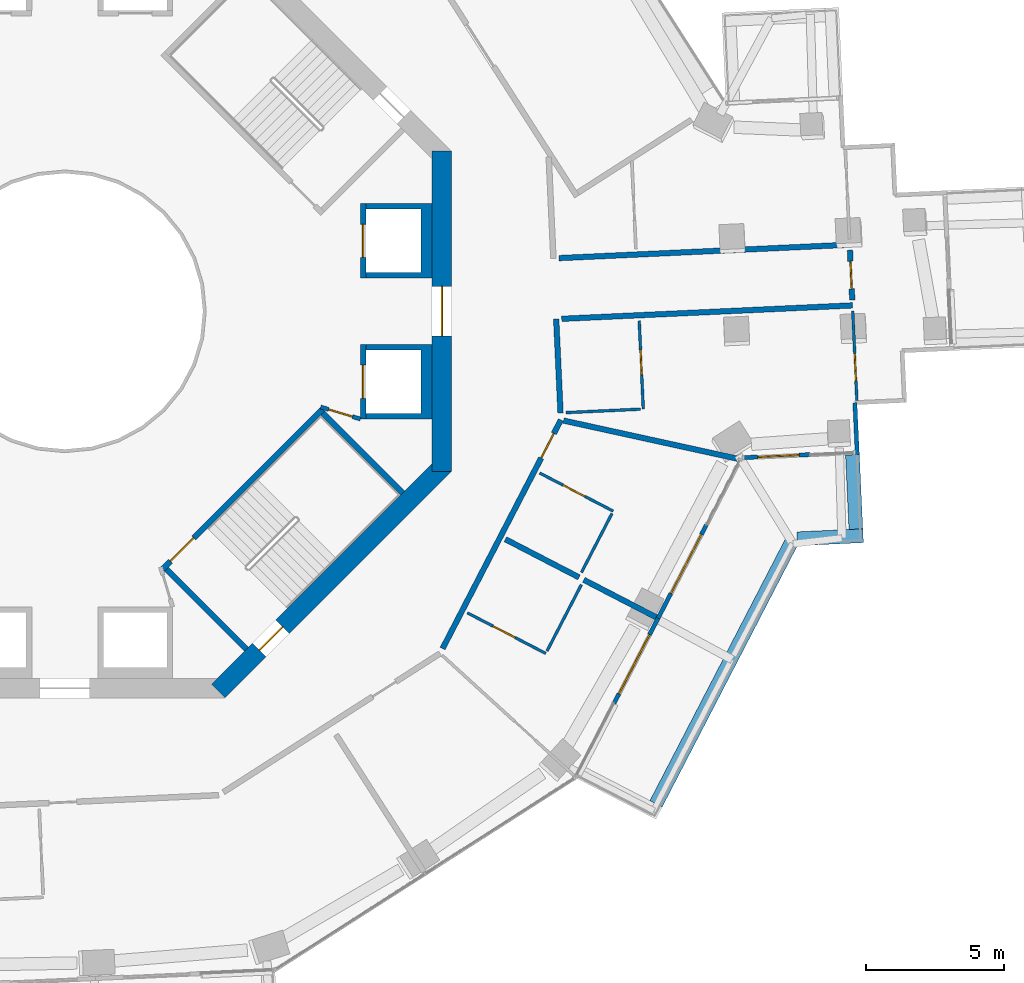
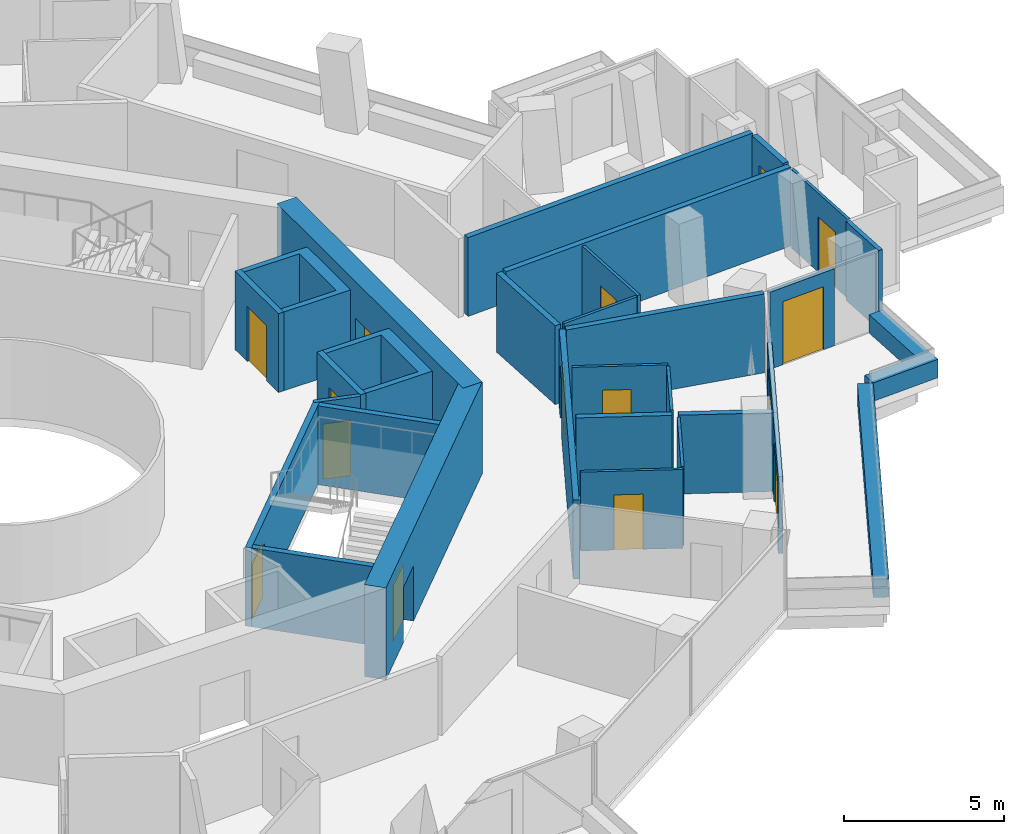
# One storey, part 16 of 22: 32 walls, 15 doors, 15 openings.
"""IFC4 building model written with IfcOpenShell, lengths in metres."""

import ifcopenshell
import ifcopenshell.guid

model = None  # the IFC model being written
_history = None  # IfcOwnerHistory: only IFC2X3 demands one
_inside = {}  # id of a spatial element -> (the spatial element, [elements in it])
_under = {}  # id of a project, library or spatial element -> (it, [spatial elements below it])
_declared = {}  # id of a project -> (the project, [libraries it declares])
_typed = {}  # id of a type object -> (the type object, [elements of that type])
_made_of = {}  # id of a material, layer set ... -> (it, [elements and type objects made of it])


def new_model(schema):
    """Start an empty IFC model of exactly this schema.

    Asked for "IFC4X3", IfcOpenShell would pick the latest addendum, in which some entities
    have other attributes; the version numbers below select the first issue.
    IFC2X3 requires an IfcOwnerHistory on every rooted entity: one is made here for all.
    """
    global model, _history
    if schema == "IFC4X3":
        model = ifcopenshell.file(schema_version=(4, 3, 0, 0))
    else:
        model = ifcopenshell.file(schema=schema)
    _inside.clear()
    _under.clear()
    _declared.clear()
    _typed.clear()
    _made_of.clear()
    _history = None
    if model.schema == "IFC2X3":
        org = make("IfcOrganization", Name="unknown")
        user = make(
            "IfcPersonAndOrganization",
            ThePerson=make("IfcPerson", FamilyName="unknown"),
            TheOrganization=org,
        )
        app = make(
            "IfcApplication",
            ApplicationDeveloper=org,
            Version="unknown",
            ApplicationFullName="unknown",
            ApplicationIdentifier="unknown",
        )
        _history = make(
            "IfcOwnerHistory",
            OwningUser=user,
            OwningApplication=app,
            ChangeAction="ADDED",
            CreationDate=0,
        )
    return model


def make(cls, **values):
    """One entity of the class cls with the attributes given. An attribute that is None is left unset."""
    return model.create_entity(
        cls, **{name: value for name, value in values.items() if value is not None}
    )


def rooted(cls, **values):
    """An entity with a GlobalId (a new one), such as an element, a storey or a relation."""
    return make(cls, GlobalId=ifcopenshell.guid.new(), OwnerHistory=_history, **values)


def si_unit(unit_type, name, prefix=None):
    """IfcSIUnit, for example si_unit("LENGTHUNIT", "METRE", prefix="MILLI")."""
    return make("IfcSIUnit", UnitType=unit_type, Prefix=prefix, Name=name)


def assignment(units):
    """IfcUnitAssignment: the units of a project."""
    return None if units is None else make("IfcUnitAssignment", Units=units)


def point(xyz):
    """IfcCartesianPoint."""
    return None if xyz is None else make("IfcCartesianPoint", Coordinates=xyz)


def direction(xyz):
    """IfcDirection."""
    return None if xyz is None else make("IfcDirection", DirectionRatios=xyz)


def frame(location, z_axis=None, x_axis=None):
    """IfcAxis2Placement3D, a coordinate frame: its origin and axes. An axis left out is left unset."""
    return make(
        "IfcAxis2Placement3D",
        Location=point(location),
        Axis=direction(z_axis),
        RefDirection=direction(x_axis),
    )


def frame_2d(location, x_axis=None):
    """IfcAxis2Placement2D, a coordinate frame in the plane: its origin and x axis."""
    return make(
        "IfcAxis2Placement2D", Location=point(location), RefDirection=direction(x_axis)
    )


def origin():
    """The frame at (0, 0, 0) with its axes left unset."""
    return frame((0.0, 0.0, 0.0))


def place(relative_to, where):
    """IfcLocalPlacement: puts the frame where relative to a parent placement (None: the world)."""
    return make(
        "IfcLocalPlacement", PlacementRelTo=relative_to, RelativePlacement=where
    )


def context(
    kind, dimensions, precision=None, world=None, true_north=None, identifier=None
):
    """IfcGeometricRepresentationContext, for example the 3D "Model" context."""
    return make(
        "IfcGeometricRepresentationContext",
        ContextIdentifier=identifier,
        ContextType=kind,
        CoordinateSpaceDimension=dimensions,
        Precision=precision,
        WorldCoordinateSystem=world,
        TrueNorth=true_north,
    )


def subcontext(parent, identifier, kind, view, scale=None):
    """IfcGeometricRepresentationSubContext, for example "Body" below "Model"."""
    return make(
        "IfcGeometricRepresentationSubContext",
        ContextIdentifier=identifier,
        ContextType=kind,
        ParentContext=parent,
        TargetScale=scale,
        TargetView=view,
    )


def project(units=None, contexts=None):
    """IfcProject with its units and contexts."""
    return rooted(
        "IfcProject",
        Name="project",
        RepresentationContexts=contexts,
        UnitsInContext=assignment(units),
    )


def spatial(cls, under=None, at=None, **own):
    """A site, building, storey or space (cls), placed at a placement, below another one or the project."""
    s = rooted(cls, ObjectPlacement=at, **own)
    if under is not None:
        _under.setdefault(under.id(), (under, []))[1].append(s)
    return s


def polyline(points):
    """IfcPolyline through the points."""
    return make("IfcPolyline", Points=[point(p) for p in points])


def profile(cls, at=None, kind="AREA", **sizes):
    """A parametric profile (cls). Its sizes go by their IFC names, for example OverallWidth=200.0."""
    return make(cls, ProfileType=kind, Position=at, **sizes)


def rectangle(**sizes):
    """IfcRectangleProfileDef."""
    return profile("IfcRectangleProfileDef", **sizes)


def outline(outer, holes=None, kind="AREA"):
    """IfcArbitraryClosedProfileDef: a profile drawn as a closed curve; with holes, ...WithVoids."""
    if holes is None:
        return make("IfcArbitraryClosedProfileDef", ProfileType=kind, OuterCurve=outer)
    return make(
        "IfcArbitraryProfileDefWithVoids",
        ProfileType=kind,
        OuterCurve=outer,
        InnerCurves=holes,
    )


def extrude(swept, where, along, depth):
    """IfcExtrudedAreaSolid: the profile swept, set in the frame where, extruded along a direction by depth."""
    return make(
        "IfcExtrudedAreaSolid",
        SweptArea=swept,
        Position=where,
        ExtrudedDirection=direction(along),
        Depth=depth,
    )


def shape(context_of_items, identifier, shape_type, items):
    """IfcShapeRepresentation: the items that make up one representation, for example the "Body"."""
    return make(
        "IfcShapeRepresentation",
        ContextOfItems=context_of_items,
        RepresentationIdentifier=identifier,
        RepresentationType=shape_type,
        Items=items,
    )


def material(Name=None, Category=None):
    """IfcMaterial."""
    return make("IfcMaterial", Name=Name, Category=Category)


def layer(
    of_material, thickness, ventilated=None, Name=None, Category=None, Priority=None
):
    """IfcMaterialLayer: one layer of a wall or slab, of a material (None: an air gap)."""
    return make(
        "IfcMaterialLayer",
        Material=of_material,
        LayerThickness=thickness,
        IsVentilated=ventilated,
        Name=Name,
        Category=Category,
        Priority=Priority,
    )


def layer_set(layers, Name=None):
    """IfcMaterialLayerSet."""
    return make("IfcMaterialLayerSet", MaterialLayers=layers, LayerSetName=Name)


def made_of(thing, what):
    """Note that an element or type object is made of a material, layer set ...; save() writes the relation."""
    if what is not None:
        _made_of.setdefault(what.id(), (what, []))[1].append(thing)
    return thing


def type_object(cls, material=None, **own):
    """A type object (cls), such as IfcWallType, which elements share."""
    return made_of(rooted(cls, **own), material)


def element(
    cls,
    number,
    at=None,
    inside=None,
    cuts=None,
    type_object=None,
    material=None,
    context=None,
    identifier="Body",
    shape_type=None,
    held_by="IfcProductDefinitionShape",
    body=None,
    shapes=None,
    **own,
):
    """One element of the class cls, such as IfcWall. Its Tag is "e" and its number.

    at: its placement. inside: the storey or other place that contains it. cuts: it is an
    opening in that element (IfcRelVoidsElement). A single representation is given by context,
    identifier, shape_type and body (its items); several are given by shapes. held_by: the class
    of the entity that holds the representations. save() writes the other relations.
    """
    e = rooted(cls, Tag="e%d" % number, ObjectPlacement=at, **own)
    if body is not None:
        shapes = [shape(context, identifier, shape_type, body)]
    if shapes is not None:
        e.Representation = make(held_by, Representations=shapes)
    if inside is not None:
        _inside.setdefault(inside.id(), (inside, []))[1].append(e)
    if cuts is not None:
        rooted(
            "IfcRelVoidsElement", RelatingBuildingElement=cuts, RelatedOpeningElement=e
        )
    if type_object is not None:
        _typed.setdefault(type_object.id(), (type_object, []))[1].append(e)
    return made_of(e, material)


def fill(opening, filler):
    """IfcRelFillsElement: the door or window that sits in an opening."""
    return rooted(
        "IfcRelFillsElement",
        RelatingOpeningElement=opening,
        RelatedBuildingElement=filler,
    )


def aggregate(whole, parts):
    """IfcRelAggregates: a whole, such as a stair, and the parts it consists of."""
    return rooted("IfcRelAggregates", RelatingObject=whole, RelatedObjects=parts)


def save(model, path):
    """Write the relations noted so far, then the file.

    IfcRelAggregates (storeys below a building ...), IfcRelContainedInSpatialStructure (elements
    in a storey), IfcRelDefinesByType, IfcRelAssociatesMaterial and IfcRelDeclares: one each for
    every whole, place, type object, material and project.
    """
    for whole, parts in _under.values():
        aggregate(whole, parts)
    for where, things in _inside.values():
        rooted(
            "IfcRelContainedInSpatialStructure",
            RelatedElements=things,
            RelatingStructure=where,
        )
    for kind, things in _typed.values():
        rooted("IfcRelDefinesByType", RelatedObjects=things, RelatingType=kind)
    for what, things in _made_of.values():
        rooted("IfcRelAssociatesMaterial", RelatedObjects=things, RelatingMaterial=what)
    for by, libraries in _declared.values():
        rooted("IfcRelDeclares", RelatingContext=by, RelatedDefinitions=libraries)
    model.write(path)


model = new_model("IFC4")

# Units and contexts
model_context = context("Model", 3, precision=1e-05, world=origin(), true_north=direction((0.0, 1.0)))
body_context = subcontext(model_context, "Body", "Model", "MODEL_VIEW")
ifc_project = project(units=[si_unit("LENGTHUNIT", "METRE"), si_unit("AREAUNIT", "SQUARE_METRE"), si_unit("VOLUMEUNIT", "CUBIC_METRE"), si_unit("PLANEANGLEUNIT", "RADIAN"), si_unit("MASSUNIT", "GRAM", prefix="KILO")], contexts=[model_context])

# Site, building, storey
site_placement = place(None, origin())
site = spatial("IfcSite", under=ifc_project, at=site_placement, CompositionType="ELEMENT")
building_placement = place(site_placement, origin())
building = spatial("IfcBuilding", under=site, at=building_placement, Name="Verdalira Terraces Hotel", CompositionType="ELEMENT")
storey_placement = place(building_placement, frame((0.0, 0.0, 165.5)))
storey = spatial("IfcBuildingStorey", under=building, at=storey_placement, Name="L40", CompositionType="ELEMENT", Elevation=165.5)

# Walls
ifc_material_1 = material(Name="Concrete C40", Category="concrete")
ifc_layer_1 = layer(ifc_material_1, 0.5)
ifc_layer_set_1 = layer_set([ifc_layer_1], Name="Balcony planter trough with tree")
wall_type_1 = type_object("IfcWallType", Name="Balcony planter trough with tree", PredefinedType="SOLIDWALL", material=ifc_layer_set_1)
wall_1_placement = place(storey_placement, frame((21.407227, -17.833252, 0.0), z_axis=(0.0, 0.0, 1.0), x_axis=(0.459583147, 0.888134748, 0.0)))
element("IfcWall", 1, at=wall_1_placement, inside=storey, type_object=wall_type_1, Name="Balcony planter", PredefinedType="SOLIDWALL", context=body_context, shape_type="SweptSolid", body=[
    extrude(rectangle(XDim=10.652588, YDim=0.5, at=frame_2d((5.326172, 0.0))), origin(), (0.0, 0.0, 1.0), 0.699951),
])
wall_2_placement = place(storey_placement, frame((26.513428, -8.237549, 0.0), z_axis=(0.0, 0.0, 1.0), x_axis=(0.998936104, 0.046115731, 0.0)))
element("IfcWall", 2, at=wall_2_placement, inside=storey, type_object=wall_type_1, Name="Balcony planter", PredefinedType="SOLIDWALL", context=body_context, shape_type="SweptSolid", body=[
    extrude(rectangle(XDim=2.392822, YDim=0.5, at=frame_2d((1.196289, 0.0))), origin(), (0.0, 0.0, 1.0), 0.699951),
])
wall_3_placement = place(storey_placement, frame((28.642578, -7.88916, 0.0), z_axis=(0.0, 0.0, 1.0), x_axis=(-0.046039503, 0.99893962, 0.0)))
element("IfcWall", 3, at=wall_3_placement, inside=storey, type_object=wall_type_1, Name="Balcony planter", PredefinedType="SOLIDWALL", context=body_context, shape_type="SweptSolid", body=[
    extrude(rectangle(XDim=2.699219, YDim=0.5, at=frame_2d((1.349609, 0.0))), origin(), (0.0, 0.0, 1.0), 0.699951),
])

# Wall, opening, door
ifc_material_2 = material(Name="Moisture-resistant gypsum board partition")
ifc_layer_2 = layer(ifc_material_2, 0.10009765625)
ifc_layer_set_2 = layer_set([ifc_layer_2], Name="Bathroom partition 100 mm")
wall_type_2 = type_object("IfcWallType", Name="Bathroom partition 100 mm", PredefinedType="PARTITIONING", material=ifc_layer_set_2)
wall_4_placement = place(storey_placement, frame((14.570801, -10.917725, 0.0), z_axis=(0.0, 0.0, 1.0), x_axis=(0.888114553, -0.459622171, 0.0)))
wall_4 = element("IfcWall", 4, at=wall_4_placement, inside=storey, type_object=wall_type_2, Name="Bathroom partition", PredefinedType="PARTITIONING", context=body_context, shape_type="SweptSolid", body=[
    extrude(rectangle(XDim=3.199707, YDim=0.100098, at=frame_2d((1.599854, 0.0))), origin(), (0.0, 0.0, 1.0), 3.0),
])
opening_1_placement = place(wall_4_placement, frame((1.050049, 0.0, 0.0)))
opening_1 = element("IfcOpeningElement", 5, at=opening_1_placement, cuts=wall_4, Name="Opening L40-125", PredefinedType="OPENING", context=body_context, shape_type="SweptSolid", body=[
    extrude(rectangle(XDim=0.899902, YDim=2.100098, at=frame_2d((0.449951, 1.050049))), frame((0.0, 0.060059, 0.0), z_axis=(0.0, -1.0, 0.0), x_axis=(1.0, 0.0, 0.0)), (0.0, 0.0, 1.0), 0.120117),
])
ifc_material_3 = material(Name="Timber door", Category="wood")
door_type_1 = type_object("IfcDoorType", Name="Bathroom door 900 x 2100", OperationType="NOTDEFINED", PredefinedType="DOOR", material=ifc_material_3)
door_1_placement = place(opening_1_placement, origin())
door_1 = element("IfcDoor", 6, at=door_1_placement, inside=storey, type_object=door_type_1, Name="Bathroom door 4007", OperationType="SINGLE_SWING_RIGHT", OverallHeight=2.10009765625, OverallWidth=0.89990234375, PredefinedType="DOOR", context=body_context, shape_type="SweptSolid", body=[
    extrude(rectangle(XDim=0.899902, YDim=2.100098, at=frame_2d((0.449951, 1.050049))), frame((0.0, 0.024902, 0.0), z_axis=(0.0, -1.0, 0.0), x_axis=(1.0, 0.0, 0.0)), (0.0, 0.0, 1.0), 0.050049),
])
fill(opening_1, door_1)

# Wall
wall_5_placement = place(storey_placement, frame((17.45874, -12.299561, 0.0), z_axis=(0.0, 0.0, 1.0), x_axis=(0.459612319, 0.888119652, 0.0)))
element("IfcWall", 7, at=wall_5_placement, inside=storey, type_object=wall_type_2, Name="Bathroom partition", PredefinedType="PARTITIONING", context=body_context, shape_type="SweptSolid", body=[
    extrude(rectangle(XDim=2.699951, YDim=0.100098, at=frame_2d((1.350098, 0.0))), origin(), (0.0, 0.0, 1.0), 3.0),
])

# Wall, opening, door
wall_6_placement = place(storey_placement, frame((19.854736, -7.234131, 0.0), z_axis=(0.0, 0.0, 1.0), x_axis=(-0.888123731, 0.459604438, 0.0)))
wall_6 = element("IfcWall", 8, at=wall_6_placement, inside=storey, type_object=wall_type_2, Name="Bathroom partition", PredefinedType="PARTITIONING", context=body_context, shape_type="SweptSolid", body=[
    extrude(rectangle(XDim=3.000244, YDim=0.100098, at=frame_2d((1.5, 0.0))), origin(), (0.0, 0.0, 1.0), 3.0),
])
opening_2_placement = place(wall_6_placement, frame((1.149902, 0.0, 0.0)))
opening_2 = element("IfcOpeningElement", 9, at=opening_2_placement, cuts=wall_6, Name="Opening L40-127", PredefinedType="OPENING", context=body_context, shape_type="SweptSolid", body=[
    extrude(rectangle(XDim=0.899902, YDim=2.100098, at=frame_2d((0.449951, 1.050049))), frame((0.0, 0.060059, 0.0), z_axis=(0.0, -1.0, 0.0), x_axis=(1.0, 0.0, 0.0)), (0.0, 0.0, 1.0), 0.120117),
])
door_2_placement = place(opening_2_placement, origin())
door_2 = element("IfcDoor", 10, at=door_2_placement, inside=storey, type_object=door_type_1, Name="Bathroom door 4008", OperationType="SINGLE_SWING_LEFT", OverallHeight=2.10009765625, OverallWidth=0.89990234375, PredefinedType="DOOR", context=body_context, shape_type="SweptSolid", body=[
    extrude(rectangle(XDim=0.899902, YDim=2.100098, at=frame_2d((0.449951, 1.050049))), frame((0.0, 0.024902, 0.0), z_axis=(0.0, -1.0, 0.0), x_axis=(1.0, 0.0, 0.0)), (0.0, 0.0, 1.0), 0.050049),
])
fill(opening_2, door_2)

# Walls
wall_7_placement = place(storey_placement, frame((19.808838, -7.322998, 0.0), z_axis=(0.0, 0.0, 1.0), x_axis=(-0.459622171, -0.888114553, 0.0)))
element("IfcWall", 11, at=wall_7_placement, inside=storey, type_object=wall_type_2, Name="Bathroom partition", PredefinedType="PARTITIONING", context=body_context, shape_type="SweptSolid", body=[
    extrude(rectangle(XDim=2.399902, YDim=0.100098, at=frame_2d((1.199951, 0.0))), origin(), (0.0, 0.0, 1.0), 3.0),
])
wall_8_placement = place(storey_placement, frame((18.146484, -3.668213, 0.0), z_axis=(0.0, 0.0, 1.0), x_axis=(0.998936225, 0.046113095, 0.0)))
element("IfcWall", 12, at=wall_8_placement, inside=storey, type_object=wall_type_2, Name="Bathroom partition", PredefinedType="PARTITIONING", context=body_context, shape_type="SweptSolid", body=[
    extrude(rectangle(XDim=2.700195, YDim=0.100098, at=frame_2d((1.350098, 0.0))), origin(), (0.0, 0.0, 1.0), 3.0),
])

# Wall, opening, door
wall_9_placement = place(storey_placement, frame((20.943604, -3.539062, 0.0), z_axis=(0.0, 0.0, 1.0), x_axis=(-0.046082512, 0.998937637, 0.0)))
wall_9 = element("IfcWall", 13, at=wall_9_placement, inside=storey, type_object=wall_type_2, Name="Bathroom partition", PredefinedType="PARTITIONING", context=body_context, shape_type="SweptSolid", body=[
    extrude(rectangle(XDim=3.199951, YDim=0.100098, at=frame_2d((1.600098, 0.0))), origin(), (0.0, 0.0, 1.0), 3.0),
])
opening_3_placement = place(wall_9_placement, frame((1.25, 0.0, 0.0)))
opening_3 = element("IfcOpeningElement", 14, at=opening_3_placement, cuts=wall_9, Name="Opening L40-131", PredefinedType="OPENING", context=body_context, shape_type="SweptSolid", body=[
    extrude(rectangle(XDim=0.899902, YDim=2.100098, at=frame_2d((0.449951, 1.050049))), frame((0.0, 0.060059, 0.0), z_axis=(0.0, -1.0, 0.0), x_axis=(1.0, 0.0, 0.0)), (0.0, 0.0, 1.0), 0.120117),
])
door_3_placement = place(opening_3_placement, origin())
door_3 = element("IfcDoor", 15, at=door_3_placement, inside=storey, type_object=door_type_1, Name="Bathroom door 4009", OperationType="SINGLE_SWING_LEFT", OverallHeight=2.10009765625, OverallWidth=0.89990234375, PredefinedType="DOOR", context=body_context, shape_type="SweptSolid", body=[
    extrude(rectangle(XDim=0.899902, YDim=2.100098, at=frame_2d((0.449951, 1.050049))), frame((0.0, 0.024902, 0.0), z_axis=(0.0, -1.0, 0.0), x_axis=(1.0, 0.0, 0.0)), (0.0, 0.0, 1.0), 0.050049),
])
fill(opening_3, door_3)

wall_10_placement = place(storey_placement, frame((28.678223, -3.234619, 0.0), z_axis=(0.0, 0.0, 1.0), x_axis=(-0.046095546, 0.998937035, 0.0)))
wall_10 = element("IfcWall", 16, at=wall_10_placement, inside=storey, type_object=wall_type_2, Name="Bathroom partition", PredefinedType="PARTITIONING", context=body_context, shape_type="SweptSolid", body=[
    extrude(rectangle(XDim=3.251953, YDim=0.100098, at=frame_2d((1.625977, 0.0))), origin(), (0.0, 0.0, 1.0), 3.0),
])
opening_4_placement = place(wall_10_placement, frame((0.699951, 0.0, 0.0)))
opening_4 = element("IfcOpeningElement", 17, at=opening_4_placement, cuts=wall_10, Name="Opening L40-129", PredefinedType="OPENING", context=body_context, shape_type="SweptSolid", body=[
    extrude(rectangle(XDim=1.0, YDim=2.100098, at=frame_2d((0.5, 1.050049))), frame((0.0, 0.060059, 0.0), z_axis=(0.0, -1.0, 0.0), x_axis=(1.0, 0.0, 0.0)), (0.0, 0.0, 1.0), 0.120117),
])
ifc_material_4 = material(Name="Timber door", Category="wood")
door_type_2 = type_object("IfcDoorType", Name="Suite internal door 1000 x 2100", OperationType="NOTDEFINED", PredefinedType="DOOR", material=ifc_material_4)
door_4_placement = place(opening_4_placement, origin())
door_4 = element("IfcDoor", 18, at=door_4_placement, inside=storey, type_object=door_type_2, Name="Suite internal door 4009", OperationType="SINGLE_SWING_LEFT", OverallHeight=2.10009765625, OverallWidth=1.0, PredefinedType="DOOR", context=body_context, shape_type="SweptSolid", body=[
    extrude(rectangle(XDim=1.0, YDim=2.100098, at=frame_2d((0.5, 1.050049))), frame((0.0, 0.024902, 0.0), z_axis=(0.0, -1.0, 0.0), x_axis=(1.0, 0.0, 0.0)), (0.0, 0.0, 1.0), 0.050049),
])
fill(opening_4, door_4)

# Wall
ifc_material_5 = material(Name="Concrete C50", Category="concrete")
ifc_layer_3 = layer(ifc_material_5, 0.199951171875)
ifc_layer_set_3 = layer_set([ifc_layer_3], Name="Core RC wall 200 C50")
wall_type_3 = type_object("IfcWallType", Name="Core RC wall 200 C50", PredefinedType="SOLIDWALL", material=ifc_layer_set_3)
wall_11_placement = place(storey_placement, origin())
element("IfcWall", 19, at=wall_11_placement, inside=storey, type_object=wall_type_3, Name="L40 shaft wall E1", PredefinedType="SOLIDWALL", context=body_context, shape_type="SweptSolid", body=[
    extrude(outline(polyline([(13.300049, -3.899902), (10.899902, -3.899902), (10.899902, -3.699951), (12.899902, -3.699951), (12.899902, -1.399902), (10.899902, -1.399902), (10.899902, -1.199951), (13.300049, -1.199951), (13.300049, -3.899902)])), origin(), (0.0, 0.0, 1.0), 3.0),
])

# Wall, opening, door
wall_12_placement = place(storey_placement, frame((10.800049, -1.199951, 0.0), z_axis=(0.0, 0.0, 1.0), x_axis=(0.0, -1.0, 0.0)))
wall_12 = element("IfcWall", 20, at=wall_12_placement, inside=storey, type_object=wall_type_3, Name="L40 shaft front wall E1", PredefinedType="SOLIDWALL", context=body_context, shape_type="SweptSolid", body=[
    extrude(rectangle(XDim=2.699951, YDim=0.199951, at=frame_2d((1.350098, 0.0))), origin(), (0.0, 0.0, 1.0), 3.0),
])
opening_5_placement = place(wall_12_placement, frame((0.75, 0.0, 0.0)))
opening_5 = element("IfcOpeningElement", 21, at=opening_5_placement, cuts=wall_12, Name="Opening LD-L40-801", PredefinedType="OPENING", context=body_context, shape_type="SweptSolid", body=[
    extrude(rectangle(XDim=1.199951, YDim=2.100098, at=frame_2d((0.600098, 1.050049))), frame((0.0, 0.109863, 0.0), z_axis=(0.0, -1.0, 0.0), x_axis=(1.0, 0.0, 0.0)), (0.0, 0.0, 1.0), 0.219971),
])
ifc_material_6 = material(Name="Stainless steel", Category="steel")
door_type_3 = type_object("IfcDoorType", Name="Landing door 1200 x 2100", OperationType="NOTDEFINED", PredefinedType="DOOR", material=ifc_material_6)
door_5_placement = place(opening_5_placement, origin())
door_5 = element("IfcDoor", 22, at=door_5_placement, inside=storey, type_object=door_type_3, Name="Lift landing door LR1 L40", OperationType="DOUBLE_DOOR_SLIDING", OverallHeight=2.10009765625, OverallWidth=1.199951171875, PredefinedType="DOOR", context=body_context, shape_type="SweptSolid", body=[
    extrude(rectangle(XDim=1.199951, YDim=2.100098, at=frame_2d((0.600098, 1.050049))), frame((0.0, 0.024902, 0.0), z_axis=(0.0, -1.0, 0.0), x_axis=(1.0, 0.0, 0.0)), (0.0, 0.0, 1.0), 0.050049),
])
fill(opening_5, door_5)

# Wall
wall_13_placement = place(storey_placement, origin())
element("IfcWall", 23, at=wall_13_placement, inside=storey, type_object=wall_type_3, Name="L40 shaft wall E2", PredefinedType="SOLIDWALL", context=body_context, shape_type="SweptSolid", body=[
    extrude(outline(polyline([(13.300049, 3.899902), (13.300049, 1.199951), (10.899902, 1.199951), (10.899902, 1.399902), (12.899902, 1.399902), (12.899902, 3.699951), (10.899902, 3.699951), (10.899902, 3.899902), (13.300049, 3.899902)])), origin(), (0.0, 0.0, 1.0), 3.0),
])

# Wall, opening, door
wall_14_placement = place(storey_placement, frame((10.800049, 1.199951, 0.0), z_axis=(0.0, 0.0, 1.0), x_axis=(0.0, 1.0, 0.0)))
wall_14 = element("IfcWall", 24, at=wall_14_placement, inside=storey, type_object=wall_type_3, Name="L40 shaft front wall E2", PredefinedType="SOLIDWALL", context=body_context, shape_type="SweptSolid", body=[
    extrude(rectangle(XDim=2.699951, YDim=0.199951, at=frame_2d((1.350098, 0.0))), origin(), (0.0, 0.0, 1.0), 3.0),
])
opening_6_placement = place(wall_14_placement, frame((0.75, 0.0, 0.0)))
opening_6 = element("IfcOpeningElement", 25, at=opening_6_placement, cuts=wall_14, Name="Opening LD-L40-802", PredefinedType="OPENING", context=body_context, shape_type="SweptSolid", body=[
    extrude(rectangle(XDim=1.199951, YDim=2.100098, at=frame_2d((0.600098, 1.050049))), frame((0.0, 0.109863, 0.0), z_axis=(0.0, -1.0, 0.0), x_axis=(1.0, 0.0, 0.0)), (0.0, 0.0, 1.0), 0.219971),
])
door_6_placement = place(opening_6_placement, origin())
door_6 = element("IfcDoor", 26, at=door_6_placement, inside=storey, type_object=door_type_3, Name="Lift landing door LR2 L40", OperationType="DOUBLE_DOOR_SLIDING", OverallHeight=2.10009765625, OverallWidth=1.199951171875, PredefinedType="DOOR", context=body_context, shape_type="SweptSolid", body=[
    extrude(rectangle(XDim=1.199951, YDim=2.100098, at=frame_2d((0.600098, 1.050049))), frame((0.0, 0.024902, 0.0), z_axis=(0.0, -1.0, 0.0), x_axis=(1.0, 0.0, 0.0)), (0.0, 0.0, 1.0), 0.050049),
])
fill(opening_6, door_6)

wall_15_placement = place(storey_placement, frame((9.33374, -3.5354, 0.0), z_axis=(0.0, 0.0, 1.0), x_axis=(-0.707106781, -0.707106781, 0.0)))
wall_15 = element("IfcWall", 27, at=wall_15_placement, inside=storey, type_object=wall_type_3, Name="L40 stair ST3 front wall", PredefinedType="SOLIDWALL", context=body_context, shape_type="SweptSolid", body=[
    extrude(rectangle(XDim=8.200195, YDim=0.199951, at=frame_2d((4.100098, 0.0))), origin(), (0.0, 0.0, 1.0), 3.0),
])
opening_7_placement = place(wall_15_placement, frame((6.600098, 0.0, 0.0)))
opening_7 = element("IfcOpeningElement", 28, at=opening_7_placement, cuts=wall_15, Name="Opening L40-811", PredefinedType="OPENING", context=body_context, shape_type="SweptSolid", body=[
    extrude(rectangle(XDim=1.199951, YDim=2.100098, at=frame_2d((0.600098, 1.050049))), frame((0.0, 0.109863, 0.0), z_axis=(0.0, -1.0, 0.0), x_axis=(1.0, 0.0, 0.0)), (0.0, 0.0, 1.0), 0.219971),
])
ifc_material_7 = material(Name="Steel fire door", Category="steel")
door_type_4 = type_object("IfcDoorType", Name="Stair door 1200 x 2100", OperationType="NOTDEFINED", PredefinedType="DOOR", material=ifc_material_7)
door_7_placement = place(opening_7_placement, origin())
door_7 = element("IfcDoor", 29, at=door_7_placement, inside=storey, type_object=door_type_4, Name="Stair door ST3 L40", OperationType="SINGLE_SWING_RIGHT", OverallHeight=2.10009765625, OverallWidth=1.199951171875, PredefinedType="DOOR", context=body_context, shape_type="SweptSolid", body=[
    extrude(rectangle(XDim=1.199951, YDim=2.100098, at=frame_2d((0.600098, 1.050049))), frame((0.0, 0.024902, 0.0), z_axis=(0.0, -1.0, 0.0), x_axis=(1.0, 0.0, 0.0)), (0.0, 0.0, 1.0), 0.050049),
])
fill(opening_7, door_7)

# Walls
for number, where, z_axis, x_axis, name in (
    (30, (3.677002, -9.33374, 0.0), (0.0, 0.0, 1.0), (0.707106781, -0.707106781, 0.0), "L40 stair ST3 end wall 1"),
    (31, (9.33374, -3.677002, 0.0), (0.0, 0.0, 1.0), (0.707106781, -0.707106781, 0.0), "L40 stair ST3 end wall 2"),
):
    element("IfcWall", number, at=place(storey_placement, frame(where, z_axis=z_axis, x_axis=x_axis)), inside=storey, type_object=wall_type_3, Name=name, PredefinedType="SOLIDWALL", context=body_context, shape_type="SweptSolid", body=[
        extrude(rectangle(XDim=4.100098, YDim=0.199951, at=frame_2d((2.050049, 0.0))), origin(), (0.0, 0.0, 1.0), 3.0),
    ])

# Wall, opening, door
ifc_material_8 = material(Name="Gypsum board partition")
ifc_layer_4 = layer(ifc_material_8, 0.14990234375)
ifc_layer_set_4 = layer_set([ifc_layer_4], Name="Core partition 150 mm")
wall_type_4 = type_object("IfcWallType", Name="Core partition 150 mm", PredefinedType="PARTITIONING", material=ifc_layer_set_4)
wall_16_placement = place(storey_placement, frame((9.263184, -3.464844, 0.0), z_axis=(0.0, 0.0, 1.0), x_axis=(0.957084567, -0.289808785, 0.0)))
wall_16 = element("IfcWall", 32, at=wall_16_placement, inside=storey, type_object=wall_type_4, Name="Room partition L40", PredefinedType="PARTITIONING", context=body_context, shape_type="SweptSolid", body=[
    extrude(rectangle(XDim=1.501221, YDim=0.149902, at=frame_2d((0.750488, 0.0))), origin(), (0.0, 0.0, 1.0), 3.0),
])
opening_8_placement = place(wall_16_placement, frame((0.300781, 0.0, 0.0)))
opening_8 = element("IfcOpeningElement", 33, at=opening_8_placement, cuts=wall_16, Name="Opening L40-823", PredefinedType="OPENING", context=body_context, shape_type="SweptSolid", body=[
    extrude(rectangle(XDim=0.899902, YDim=2.100098, at=frame_2d((0.449951, 1.050049))), frame((0.0, 0.084961, 0.0), z_axis=(0.0, -1.0, 0.0), x_axis=(1.0, 0.0, 0.0)), (0.0, 0.0, 1.0), 0.169922),
])
ifc_material_9 = material(Name="Steel fire door", Category="steel")
door_type_5 = type_object("IfcDoorType", Name="Core room door 900 x 2100", OperationType="NOTDEFINED", PredefinedType="DOOR", material=ifc_material_9)
door_8_placement = place(opening_8_placement, origin())
door_8 = element("IfcDoor", 34, at=door_8_placement, inside=storey, type_object=door_type_5, Name="Door L40 room7", OperationType="SINGLE_SWING_LEFT", OverallHeight=2.10009765625, OverallWidth=0.89990234375, PredefinedType="DOOR", context=body_context, shape_type="SweptSolid", body=[
    extrude(rectangle(XDim=0.899902, YDim=2.100098, at=frame_2d((0.449951, 1.050049))), frame((0.0, 0.024902, 0.0), z_axis=(0.0, -1.0, 0.0), x_axis=(1.0, 0.0, 0.0)), (0.0, 0.0, 1.0), 0.050049),
])
fill(opening_8, door_8)

ifc_material_10 = material(Name="Concrete C60", Category="concrete")
ifc_layer_5 = layer(ifc_material_10, 0.699951171875)
ifc_layer_set_5 = layer_set([ifc_layer_5], Name="Core wall 700 C60")
wall_type_5 = type_object("IfcWallType", Name="Core wall 700 C60", PredefinedType="SHEAR", material=ifc_layer_set_5)
wall_17_placement = place(storey_placement, frame((13.649902, -5.799072, 0.0), z_axis=(0.0, 0.0, 1.0), x_axis=(0.0, 1.0, 0.0)))
wall_17 = element("IfcWall", 35, at=wall_17_placement, inside=storey, type_object=wall_type_5, Name="Core wall CW-L40-1", PredefinedType="SHEAR", context=body_context, shape_type="SweptSolid", body=[
    extrude(rectangle(XDim=11.598145, YDim=0.699951, at=frame_2d((5.799072, 0.0))), origin(), (0.0, 0.0, 1.0), 3.5),
])
opening_9_placement = place(wall_17_placement, frame((4.898926, 0.0, 0.0)))
opening_9 = element("IfcOpeningElement", 36, at=opening_9_placement, cuts=wall_17, Name="Opening L40-812", PredefinedType="OPENING", context=body_context, shape_type="SweptSolid", body=[
    extrude(rectangle(XDim=1.800049, YDim=2.100098, at=frame_2d((0.899902, 1.050049))), frame((0.0, 0.359863, 0.0), z_axis=(0.0, -1.0, 0.0), x_axis=(1.0, 0.0, 0.0)), (0.0, 0.0, 1.0), 0.719971),
])
ifc_material_11 = material(Name="Steel fire door", Category="steel")
door_type_6 = type_object("IfcDoorType", Name="Core entry door pair 1800 x 2100", OperationType="NOTDEFINED", PredefinedType="DOOR", material=ifc_material_11)
door_9_placement = place(opening_9_placement, origin())
door_9 = element("IfcDoor", 37, at=door_9_placement, inside=storey, type_object=door_type_6, Name="Core entry door L40 0", OperationType="DOUBLE_DOOR_SINGLE_SWING", OverallHeight=2.10009765625, OverallWidth=1.800048828125, PredefinedType="DOOR", context=body_context, shape_type="SweptSolid", body=[
    extrude(rectangle(XDim=1.800049, YDim=2.100098, at=frame_2d((0.899902, 1.050049))), frame((0.0, 0.024902, 0.0), z_axis=(0.0, -1.0, 0.0), x_axis=(1.0, 0.0, 0.0)), (0.0, 0.0, 1.0), 0.050049),
])
fill(opening_9, door_9)

wall_18_placement = place(storey_placement, frame((5.551514, -13.752441, 0.0), z_axis=(0.0, 0.0, 1.0), x_axis=(0.707106781, 0.707106781, 0.0)))
wall_18 = element("IfcWall", 38, at=wall_18_placement, inside=storey, type_object=wall_type_5, Name="Core wall CW-L40-8", PredefinedType="SHEAR", context=body_context, shape_type="SweptSolid", body=[
    extrude(rectangle(XDim=11.5979, YDim=0.699951, at=frame_2d((5.798828, 0.0))), origin(), (0.0, 0.0, 1.0), 3.5),
])
opening_10_placement = place(wall_18_placement, frame((2.099121, 0.0, 0.0)))
opening_10 = element("IfcOpeningElement", 39, at=opening_10_placement, cuts=wall_18, Name="Opening L40-818", PredefinedType="OPENING", context=body_context, shape_type="SweptSolid", body=[
    extrude(rectangle(XDim=1.199951, YDim=2.100098, at=frame_2d((0.600098, 1.050049))), frame((0.0, 0.359863, 0.0), z_axis=(0.0, -1.0, 0.0), x_axis=(1.0, 0.0, 0.0)), (0.0, 0.0, 1.0), 0.719971),
])
door_10_placement = place(opening_10_placement, origin())
door_10 = element("IfcDoor", 40, at=door_10_placement, inside=storey, type_object=door_type_4, Name="Stair exit door ST3 L40", OperationType="SINGLE_SWING_LEFT", OverallHeight=2.10009765625, OverallWidth=1.199951171875, PredefinedType="DOOR", context=body_context, shape_type="SweptSolid", body=[
    extrude(rectangle(XDim=1.199951, YDim=2.100098, at=frame_2d((0.600098, 1.050049))), frame((0.0, 0.024902, 0.0), z_axis=(0.0, -1.0, 0.0), x_axis=(1.0, 0.0, 0.0)), (0.0, 0.0, 1.0), 0.050049),
])
fill(opening_10, door_10)

# Walls
ifc_material_12 = material(Name="Fire-rated gypsum board wall")
ifc_layer_6 = layer(ifc_material_12, 0.199951171875)
ifc_layer_set_6 = layer_set([ifc_layer_6], Name="Demising wall 200 mm")
wall_type_6 = type_object("IfcWallType", Name="Demising wall 200 mm", PredefinedType="SOLIDWALL", material=ifc_layer_set_6)
wall_19_placement = place(storey_placement, frame((15.949463, -8.253418, 0.0), z_axis=(0.0, 0.0, 1.0), x_axis=(0.888160413, -0.459533547, 0.0)))
element("IfcWall", 41, at=wall_19_placement, inside=storey, type_object=wall_type_6, Name="Demising wall", PredefinedType="SOLIDWALL", context=body_context, shape_type="SweptSolid", body=[
    extrude(rectangle(XDim=3.001709, YDim=0.199951, at=frame_2d((1.500977, 0.0))), origin(), (0.0, 0.0, 1.0), 3.0),
])
wall_20_placement = place(storey_placement, frame((18.791504, -9.723877, 0.0), z_axis=(0.0, 0.0, 1.0), x_axis=(0.888151257, -0.459551242, 0.0)))
element("IfcWall", 42, at=wall_20_placement, inside=storey, type_object=wall_type_6, Name="Demising wall", PredefinedType="SOLIDWALL", context=body_context, shape_type="SweptSolid", body=[
    extrude(rectangle(XDim=2.950195, YDim=0.199951, at=frame_2d((1.475098, 0.0))), origin(), (0.0, 0.0, 1.0), 3.0),
])
wall_21_placement = place(storey_placement, frame((18.059814, -3.95752, 0.0), z_axis=(0.0, 0.0, 1.0), x_axis=(0.976827652, -0.214027425, 0.0)))
element("IfcWall", 43, at=wall_21_placement, inside=storey, type_object=wall_type_6, Name="Demising wall", PredefinedType="SOLIDWALL", context=body_context, shape_type="SweptSolid", body=[
    extrude(rectangle(XDim=6.47583, YDim=0.199951, at=frame_2d((3.237793, 0.0))), origin(), (0.0, 0.0, 1.0), 3.0),
])

# Wall, opening, door
ifc_material_13 = material(Name="Fire-rated gypsum board wall")
ifc_layer_7 = layer(ifc_material_13, 0.199951171875)
ifc_layer_set_7 = layer_set([ifc_layer_7], Name="Guest corridor wall 200 mm")
wall_type_7 = type_object("IfcWallType", Name="Guest corridor wall 200 mm", PredefinedType="SOLIDWALL", material=ifc_layer_set_7)
wall_22_placement = place(storey_placement, frame((17.95874, -3.935303, 0.0), z_axis=(0.0, 0.0, 1.0), x_axis=(-0.459581173, -0.88813577, 0.0)))
wall_22 = element("IfcWall", 44, at=wall_22_placement, inside=storey, type_object=wall_type_7, Name="Guest corridor wall", PredefinedType="SOLIDWALL", context=body_context, shape_type="SweptSolid", body=[
    extrude(rectangle(XDim=9.31665, YDim=0.199951, at=frame_2d((4.658203, 0.0))), origin(), (0.0, 0.0, 1.0), 3.0),
])
opening_11_placement = place(wall_22_placement, frame((0.550049, 0.0, 0.0)))
opening_11 = element("IfcOpeningElement", 45, at=opening_11_placement, cuts=wall_22, Name="Opening L40-126", PredefinedType="OPENING", context=body_context, shape_type="SweptSolid", body=[
    extrude(rectangle(XDim=1.0, YDim=2.100098, at=frame_2d((0.5, 1.050049))), frame((0.0, 0.109863, 0.0), z_axis=(0.0, -1.0, 0.0), x_axis=(1.0, 0.0, 0.0)), (0.0, 0.0, 1.0), 0.219971),
])
ifc_material_14 = material(Name="Timber fire door", Category="wood")
door_type_7 = type_object("IfcDoorType", Name="Guest entry door 1000 x 2100", OperationType="NOTDEFINED", PredefinedType="DOOR", material=ifc_material_14)
door_11_placement = place(opening_11_placement, origin())
door_11 = element("IfcDoor", 46, at=door_11_placement, inside=storey, type_object=door_type_7, Name="Guest entry door 4008", OperationType="SINGLE_SWING_LEFT", OverallHeight=2.10009765625, OverallWidth=1.0, PredefinedType="DOOR", context=body_context, shape_type="SweptSolid", body=[
    extrude(rectangle(XDim=1.0, YDim=2.100098, at=frame_2d((0.5, 1.050049))), frame((0.0, 0.024902, 0.0), z_axis=(0.0, -1.0, 0.0), x_axis=(1.0, 0.0, 0.0)), (0.0, 0.0, 1.0), 0.050049),
])
fill(opening_11, door_11)

# Walls
wall_23_placement = place(storey_placement, frame((17.946777, -3.677246, 0.0), z_axis=(0.0, 0.0, 1.0), x_axis=(-0.046101459, 0.998936762, 0.0)))
element("IfcWall", 47, at=wall_23_placement, inside=storey, type_object=wall_type_7, Name="Guest corridor wall", PredefinedType="SOLIDWALL", context=body_context, shape_type="SweptSolid", body=[
    extrude(rectangle(XDim=3.399902, YDim=0.199951, at=frame_2d((1.699951, 0.0))), origin(), (0.0, 0.0, 1.0), 3.0),
])
wall_24_placement = place(storey_placement, frame((28.417725, 2.411621, 0.0), z_axis=(0.0, 0.0, 1.0), x_axis=(-0.998938185, -0.04607063, 0.0)))
element("IfcWall", 48, at=wall_24_placement, inside=storey, type_object=wall_type_7, Name="Guest corridor wall", PredefinedType="SOLIDWALL", context=body_context, shape_type="SweptSolid", body=[
    extrude(rectangle(XDim=10.540283, YDim=0.199951, at=frame_2d((5.27002, 0.0))), origin(), (0.0, 0.0, 1.0), 3.0),
])
wall_25_placement = place(storey_placement, frame((17.98999, -0.271729, 0.0), z_axis=(0.0, 0.0, 1.0), x_axis=(0.998938234, 0.046069564, 0.0)))
element("IfcWall", 49, at=wall_25_placement, inside=storey, type_object=wall_type_7, Name="Guest corridor wall", PredefinedType="SOLIDWALL", context=body_context, shape_type="SweptSolid", body=[
    extrude(rectangle(XDim=10.540527, YDim=0.199951, at=frame_2d((5.270264, 0.0))), origin(), (0.0, 0.0, 1.0), 3.0),
])

# Wall, opening, door
wall_26_placement = place(storey_placement, frame((28.427002, 2.213623, 0.0), z_axis=(0.0, 0.0, 1.0), x_axis=(0.046015424, -0.998940729, 0.0)))
wall_26 = element("IfcWall", 50, at=wall_26_placement, inside=storey, type_object=wall_type_7, Name="Guest corridor wall", PredefinedType="SOLIDWALL", context=body_context, shape_type="SweptSolid", body=[
    extrude(rectangle(XDim=1.803955, YDim=0.199951, at=frame_2d((0.901855, 0.0))), origin(), (0.0, 0.0, 1.0), 3.0),
])
opening_12_placement = place(wall_26_placement, frame((0.399902, 0.0, 0.0)))
opening_12 = element("IfcOpeningElement", 51, at=opening_12_placement, cuts=wall_26, Name="Opening L40-128", PredefinedType="OPENING", context=body_context, shape_type="SweptSolid", body=[
    extrude(rectangle(XDim=1.0, YDim=2.100098, at=frame_2d((0.5, 1.050049))), frame((0.0, 0.109863, 0.0), z_axis=(0.0, -1.0, 0.0), x_axis=(1.0, 0.0, 0.0)), (0.0, 0.0, 1.0), 0.219971),
])
door_12_placement = place(opening_12_placement, origin())
door_12 = element("IfcDoor", 52, at=door_12_placement, inside=storey, type_object=door_type_7, Name="Guest entry door 4009", OperationType="SINGLE_SWING_LEFT", OverallHeight=2.10009765625, OverallWidth=1.0, PredefinedType="DOOR", context=body_context, shape_type="SweptSolid", body=[
    extrude(rectangle(XDim=1.0, YDim=2.100098, at=frame_2d((0.5, 1.050049))), frame((0.0, 0.024902, 0.0), z_axis=(0.0, -1.0, 0.0), x_axis=(1.0, 0.0, 0.0)), (0.0, 0.0, 1.0), 0.050049),
])
fill(opening_12, door_12)

# Wall
ifc_material_15 = material(Name="Terracotta cladding", Category="masonry")
ifc_layer_8 = layer(ifc_material_15, 0.14990234375)
ifc_layer_set_8 = layer_set([ifc_layer_8], Name="Terracotta clad wall 150")
wall_type_8 = type_object("IfcWallType", Name="Terracotta clad wall 150", PredefinedType="SOLIDWALL", material=ifc_layer_set_8)
wall_27_placement = place(storey_placement, frame((28.692871, -5.183838, 0.0), z_axis=(0.0, 0.0, 1.0), x_axis=(-0.045962843, 0.99894315, 0.0)))
element("IfcWall", 53, at=wall_27_placement, inside=storey, type_object=wall_type_8, Name="Terracotta cladding wall", PredefinedType="SOLIDWALL", context=body_context, shape_type="SweptSolid", body=[
    extrude(rectangle(XDim=1.875, YDim=0.149902, at=frame_2d((0.9375, 0.0))), origin(), (0.0, 0.0, 1.0), 3.0),
])

# Wall, opening, door
ifc_material_16 = material(Name="Terracotta cladding", Category="masonry")
ifc_layer_9 = layer(ifc_material_16, 0.14990234375)
ifc_layer_set_9 = layer_set([ifc_layer_9], Name="Terracotta door pier 150")
wall_type_9 = type_object("IfcWallType", Name="Terracotta door pier 150", PredefinedType="SOLIDWALL", material=ifc_layer_set_9)
wall_28_placement = place(storey_placement, frame((19.881104, -14.200439, 0.0), z_axis=(0.0, 0.0, 1.0), x_axis=(0.459564354, 0.888144473, 0.0)))
wall_28 = element("IfcWall", 54, at=wall_28_placement, inside=storey, type_object=wall_type_9, Name="Terracotta door pier", PredefinedType="SOLIDWALL", context=body_context, shape_type="SweptSolid", body=[
    extrude(rectangle(XDim=3.474854, YDim=0.149902, at=frame_2d((1.737305, 0.0))), origin(), (0.0, 0.0, 1.0), 2.935059),
])
opening_13_placement = place(wall_28_placement, frame((0.399902, 0.0, 0.0)))
opening_13 = element("IfcOpeningElement", 55, at=opening_13_placement, cuts=wall_28, Name="Opening L40-B08", PredefinedType="OPENING", context=body_context, shape_type="SweptSolid", body=[
    extrude(rectangle(XDim=2.399902, YDim=2.399902, at=frame_2d((1.199951, 1.199951))), frame((0.0, 0.084961, 0.0), z_axis=(0.0, -1.0, 0.0), x_axis=(1.0, 0.0, 0.0)), (0.0, 0.0, 1.0), 0.169922),
])
ifc_material_17 = material(Name="Clear glass", Category="glass")
door_type_8 = type_object("IfcDoorType", Name="Balcony sliding door 2400x2400", OperationType="NOTDEFINED", PredefinedType="DOOR", material=ifc_material_17)
door_13_placement = place(opening_13_placement, origin())
door_13 = element("IfcDoor", 56, at=door_13_placement, inside=storey, type_object=door_type_8, Name="Balcony sliding door", OperationType="SLIDING_TO_RIGHT", OverallHeight=2.39990234375, OverallWidth=2.39990234375, PredefinedType="DOOR", context=body_context, shape_type="SweptSolid", body=[
    extrude(rectangle(XDim=2.399902, YDim=2.399902, at=frame_2d((1.199951, 1.199951))), frame((0.0, 0.024902, 0.0), z_axis=(0.0, -1.0, 0.0), x_axis=(1.0, 0.0, 0.0)), (0.0, 0.0, 1.0), 0.050049),
])
fill(opening_13, door_13)

wall_29_placement = place(storey_placement, frame((21.478027, -11.114258, 0.0), z_axis=(0.0, 0.0, 1.0), x_axis=(0.459588339, 0.888132062, 0.0)))
wall_29 = element("IfcWall", 57, at=wall_29_placement, inside=storey, type_object=wall_type_9, Name="Terracotta door pier", PredefinedType="SOLIDWALL", context=body_context, shape_type="SweptSolid", body=[
    extrude(rectangle(XDim=3.814209, YDim=0.149902, at=frame_2d((1.907227, 0.0))), origin(), (0.0, 0.0, 1.0), 2.935059),
])
opening_14_placement = place(wall_29_placement, frame((1.013916, 0.0, 0.0)))
opening_14 = element("IfcOpeningElement", 58, at=opening_14_placement, cuts=wall_29, Name="Opening L40-B09", PredefinedType="OPENING", context=body_context, shape_type="SweptSolid", body=[
    extrude(rectangle(XDim=2.399902, YDim=2.399902, at=frame_2d((1.199951, 1.199951))), frame((0.0, 0.084961, 0.0), z_axis=(0.0, -1.0, 0.0), x_axis=(1.0, 0.0, 0.0)), (0.0, 0.0, 1.0), 0.169922),
])
door_14_placement = place(opening_14_placement, origin())
door_14 = element("IfcDoor", 59, at=door_14_placement, inside=storey, type_object=door_type_8, Name="Balcony sliding door", OperationType="SLIDING_TO_LEFT", OverallHeight=2.39990234375, OverallWidth=2.39990234375, PredefinedType="DOOR", context=body_context, shape_type="SweptSolid", body=[
    extrude(rectangle(XDim=2.399902, YDim=2.399902, at=frame_2d((1.199951, 1.199951))), frame((0.0, 0.024902, 0.0), z_axis=(0.0, -1.0, 0.0), x_axis=(1.0, 0.0, 0.0)), (0.0, 0.0, 1.0), 0.050049),
])
fill(opening_14, door_14)

wall_30_placement = place(storey_placement, frame((24.598389, -5.297607, 0.0), z_axis=(0.0, 0.0, 1.0), x_axis=(0.9989369, 0.04609849, 0.0)))
wall_30 = element("IfcWall", 60, at=wall_30_placement, inside=storey, type_object=wall_type_9, Name="Terracotta door pier", PredefinedType="SOLIDWALL", context=body_context, shape_type="SweptSolid", body=[
    extrude(rectangle(XDim=2.388428, YDim=0.149902, at=frame_2d((1.194336, 0.0))), origin(), (0.0, 0.0, 1.0), 2.935059),
])
opening_15_placement = place(wall_30_placement, frame((0.488525, 0.0, 0.0)))
opening_15 = element("IfcOpeningElement", 61, at=opening_15_placement, cuts=wall_30, Name="Opening L40-B10", PredefinedType="OPENING", context=body_context, shape_type="SweptSolid", body=[
    extrude(rectangle(XDim=1.5, YDim=2.399902, at=frame_2d((0.75, 1.199951))), frame((0.0, 0.084961, 0.0), z_axis=(0.0, -1.0, 0.0), x_axis=(1.0, 0.0, 0.0)), (0.0, 0.0, 1.0), 0.169922),
])
ifc_material_18 = material(Name="Clear glass", Category="glass")
door_type_9 = type_object("IfcDoorType", Name="Balcony sliding door 1500x2400", OperationType="NOTDEFINED", PredefinedType="DOOR", material=ifc_material_18)
door_15_placement = place(opening_15_placement, origin())
door_15 = element("IfcDoor", 62, at=door_15_placement, inside=storey, type_object=door_type_9, Name="Balcony sliding door", OperationType="SLIDING_TO_LEFT", OverallHeight=2.39990234375, OverallWidth=1.5, PredefinedType="DOOR", context=body_context, shape_type="SweptSolid", body=[
    extrude(rectangle(XDim=1.5, YDim=2.399902, at=frame_2d((0.75, 1.199951))), frame((0.0, 0.024902, 0.0), z_axis=(0.0, -1.0, 0.0), x_axis=(1.0, 0.0, 0.0)), (0.0, 0.0, 1.0), 0.050049),
])
fill(opening_15, door_15)

save(model, "model.ifc")
